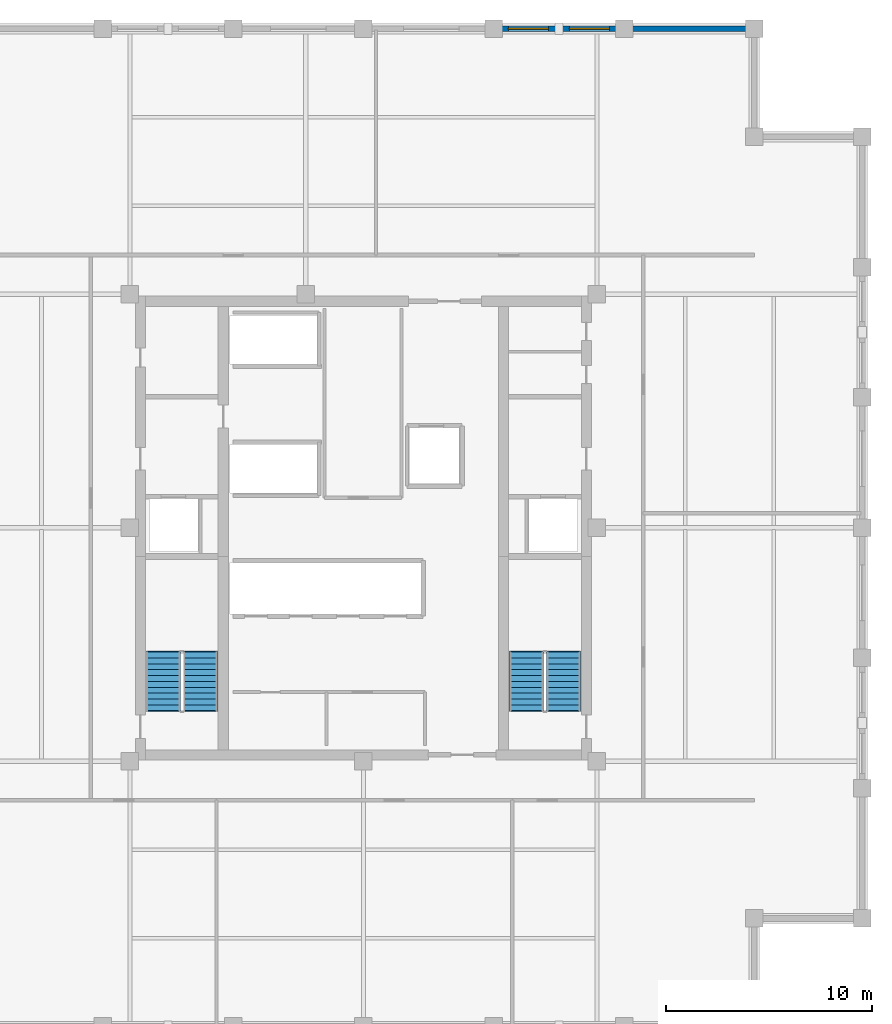
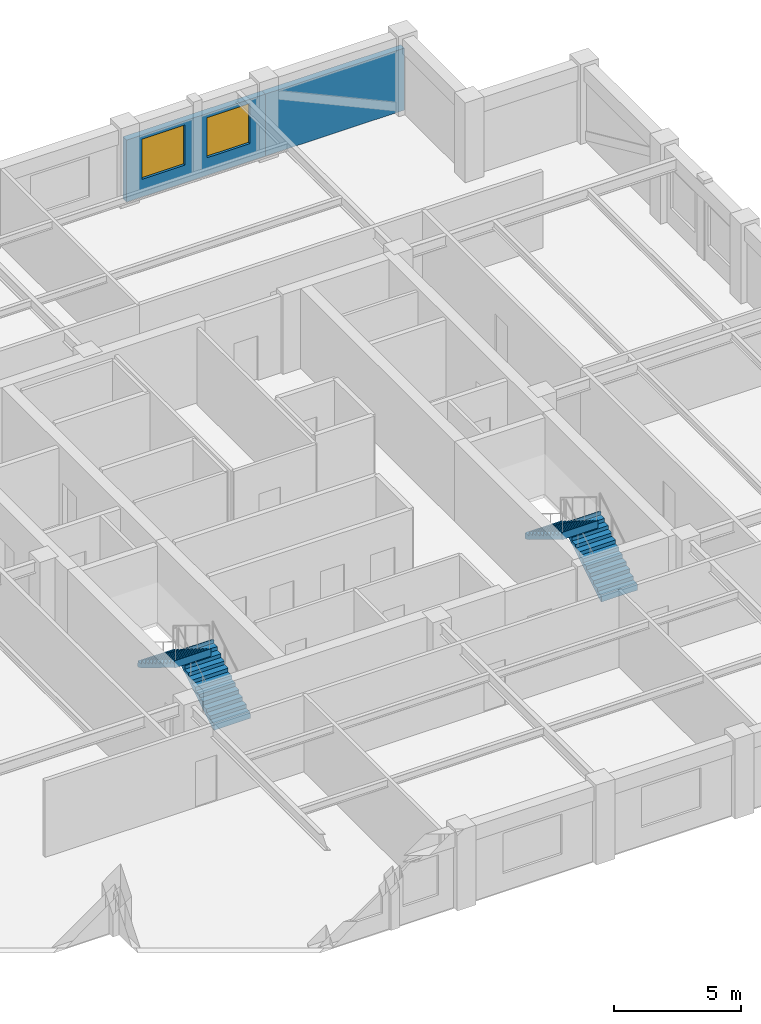
# One storey, part 5 of 6: 4 stair flights, 2 walls, 2 windows, 2 openings, 2 elements without a shape of their own.
"""IFC4 building model written with IfcOpenShell, lengths in metres."""

from ifc_helpers import new_model, si_unit, direction, frame, frame_2d, origin, place, context, subcontext, project, spatial, polyline, rectangle, outline, extrude, material, layer, layer_set, type_object, element, fill, aggregate, save


model = new_model("IFC4")

# Units and contexts
model_context = context("Model", 3, precision=1e-05, world=origin(), true_north=direction((0.0, 1.0)))
body_context = subcontext(model_context, "Body", "Model", "MODEL_VIEW")
ifc_project = project(units=[si_unit("LENGTHUNIT", "METRE"), si_unit("AREAUNIT", "SQUARE_METRE"), si_unit("VOLUMEUNIT", "CUBIC_METRE"), si_unit("PLANEANGLEUNIT", "RADIAN"), si_unit("MASSUNIT", "GRAM", prefix="KILO")], contexts=[model_context])

# Site, building, storey
site_placement = place(None, origin())
site = spatial("IfcSite", under=ifc_project, at=site_placement, CompositionType="ELEMENT")
building_placement = place(site_placement, origin())
building = spatial("IfcBuilding", under=site, at=building_placement, Name="Nhamokura Convention Tower", CompositionType="ELEMENT")
storey_placement = place(building_placement, frame((0.0, 0.0, 233.10009765625)))
storey = spatial("IfcBuildingStorey", under=building, at=storey_placement, Name="L57", CompositionType="ELEMENT", Elevation=233.10009765625)

# Wall, openings, windows
ifc_material_1 = material(Name="Bronze-pigmented precast concrete C45/55", Category="concrete")
ifc_layer = layer(ifc_material_1, 0.280029296875)
ifc_layer_set = layer_set([ifc_layer], Name="BronzePrecastSpandrel_280")
wall_type = type_object("IfcWallType", Name="BronzePrecastSpandrel_280", PredefinedType="USERDEFINED", material=ifc_layer_set)
wall_1_placement = place(storey_placement, frame((38.333251953125, 56.25, 0.0), z_axis=(0.0, 0.0, 1.0), x_axis=(1.0, 0.0, 0.0)))
wall_1 = element("IfcWall", 1, at=wall_1_placement, inside=storey, type_object=wall_type, Name="L57 Masonry-Frame Wall NORTH 4", ObjectType="SPANDREL_WALL", PredefinedType="USERDEFINED", context=body_context, shape_type="SweptSolid", body=[
    extrude(rectangle(XDim=6.33349609375, YDim=0.280029296875, at=frame_2d((3.166748046875, 0.0))), origin(), (0.0, 0.0, 1.0), 2.98486328125),
])
opening_1_placement = place(wall_1_placement, frame((0.708251953125, 0.0, 0.85009765625)))
opening_1 = element("IfcOpeningElement", 2, at=opening_1_placement, cuts=wall_1, Name="Opening W-08", PredefinedType="OPENING", context=body_context, shape_type="SweptSolid", body=[
    extrude(rectangle(XDim=1.949951171875, YDim=1.93505859375, at=frame_2d((0.97509765625, 0.967529296875))), frame((0.0, 0.14990234375, 0.0), z_axis=(0.0, -1.0, 0.0), x_axis=(1.0, 0.0, 0.0)), (0.0, 0.0, 1.0), 0.300048828125),
])
opening_2_placement = place(wall_1_placement, frame((3.675048828125, 0.0, 0.85009765625)))
opening_2 = element("IfcOpeningElement", 3, at=opening_2_placement, cuts=wall_1, Name="Opening W-08", PredefinedType="OPENING", context=body_context, shape_type="SweptSolid", body=[
    extrude(rectangle(XDim=1.949951171875, YDim=1.93505859375, at=frame_2d((0.97509765625, 0.967529296875))), frame((0.0, 0.14990234375, 0.0), z_axis=(0.0, -1.0, 0.0), x_axis=(1.0, 0.0, 0.0)), (0.0, 0.0, 1.0), 0.300048828125),
])
ifc_material_2 = material(Name="Solar-control bronze low-E double glass", Category="glass")
window_type = type_object("IfcWindowType", Name="OfficeModuleWindow_Z3_1950", PartitioningType="SINGLE_PANEL", PredefinedType="WINDOW", material=ifc_material_2)
window_1_placement = place(opening_1_placement, origin())
window_1 = element("IfcWindow", 4, at=window_1_placement, inside=storey, type_object=window_type, Name="L57 Facade Window NORTH 4-1", OverallHeight=1.93505859375, OverallWidth=1.949951171875, PartitioningType="SINGLE_PANEL", PredefinedType="WINDOW", context=body_context, shape_type="SweptSolid", body=[
    extrude(rectangle(XDim=1.949951171875, YDim=1.93505859375, at=frame_2d((0.97509765625, 0.967529296875))), frame((0.0, 0.030029296875, 0.0), z_axis=(0.0, -1.0, 0.0), x_axis=(1.0, 0.0, 0.0)), (0.0, 0.0, 1.0), 0.06005859375),
])
fill(opening_1, window_1)
window_2_placement = place(opening_2_placement, origin())
window_2 = element("IfcWindow", 5, at=window_2_placement, inside=storey, type_object=window_type, Name="L57 Facade Window NORTH 4-2", OverallHeight=1.93505859375, OverallWidth=1.949951171875, PartitioningType="SINGLE_PANEL", PredefinedType="WINDOW", context=body_context, shape_type="SweptSolid", body=[
    extrude(rectangle(XDim=1.949951171875, YDim=1.93505859375, at=frame_2d((0.97509765625, 0.967529296875))), frame((0.0, 0.030029296875, 0.0), z_axis=(0.0, -1.0, 0.0), x_axis=(1.0, 0.0, 0.0)), (0.0, 0.0, 1.0), 0.06005859375),
])
fill(opening_2, window_2)

# Wall
wall_2_placement = place(storey_placement, frame((44.666748046875, 56.25, 0.0), z_axis=(0.0, 0.0, 1.0), x_axis=(1.0, 0.0, 0.0)))
element("IfcWall", 6, at=wall_2_placement, inside=storey, type_object=wall_type, Name="L57 Braced-Bay Precast Wall NORTH 5", ObjectType="SPANDREL_WALL", PredefinedType="USERDEFINED", context=body_context, shape_type="SweptSolid", body=[
    extrude(rectangle(XDim=6.333251953125, YDim=0.280029296875, at=frame_2d((3.16650390625, 0.0))), origin(), (0.0, 0.0, 1.0), 2.98486328125),
])

# Stair, stair flights
ifc_material_3 = material(Name="Concrete C40/50", Category="concrete")
stair_type = type_object("IfcStairType", Name="TowerCoreStair_1650", PredefinedType="HALF_TURN_STAIR", material=ifc_material_3)
stair_1_placement = place(storey_placement, origin())
stair_1 = element("IfcStair", 7, at=stair_1_placement, inside=storey, type_object=stair_type, Name="L57 West Core Smokeproof Stair ST-01", PredefinedType="HALF_TURN_STAIR")
ifc_material_4 = material(Name="Concrete C40/50", Category="concrete")
stair_flight_type = type_object("IfcStairFlightType", Name="TowerCoreStair_1650_Flight", PredefinedType="STRAIGHT", material=ifc_material_4)
stair_flight_1_placement = place(storey_placement, frame((24.074951171875, 23.10009765625, 0.0), z_axis=(0.0, 0.0, 1.0), x_axis=(0.0, 1.0, 0.0)))
stair_flight_1 = element("IfcStairFlight", 8, at=stair_flight_1_placement, type_object=stair_flight_type, Name="ST-01 flight 1", NumberOfRisers=11, NumberOfTreads=10, PredefinedType="STRAIGHT", RiserHeight=0.175, TreadLength=0.285, context=body_context, shape_type="SweptSolid", body=[
    extrude(outline(polyline([(-0.0419921875, 0.0), (0.0, 0.175048828125), (0.284912109375, 0.175048828125), (0.284912109375, 0.35009765625), (0.570068359375, 0.35009765625), (0.570068359375, 0.52490234375), (0.85498046875, 0.52490234375), (0.85498046875, 0.699951171875), (1.139892578125, 0.699951171875), (1.139892578125, 0.875), (1.425048828125, 0.875), (1.425048828125, 1.050048828125), (1.7099609375, 1.050048828125), (1.7099609375, 1.22509765625), (1.9951171875, 1.22509765625), (1.9951171875, 1.39990234375), (2.280029296875, 1.39990234375), (2.280029296875, 1.574951171875), (2.56494140625, 1.574951171875), (2.56494140625, 1.75), (2.85009765625, 1.75), (2.85009765625, 1.925048828125), (2.89208984375, 1.925048828125), (2.89208984375, 1.573974609375), (2.85009765625, 1.573974609375), (0.286376953125, 0.0), (0.02001953125, -0.1298828125), (-0.0419921875, -0.1298828125), (-0.0419921875, 0.0)])), frame((0.0, 0.824951171875, 0.0), z_axis=(0.0, -1.0, 0.0), x_axis=(1.0, 0.0, 0.0)), (0.0, 0.0, 1.0), 1.64990234375),
])
stair_flight_2_placement = place(storey_placement, frame((22.27490234375, 25.949951171875, 1.9248046875), z_axis=(0.0, 0.0, 1.0), x_axis=(0.0, -1.0, 0.0)))
stair_flight_2 = element("IfcStairFlight", 9, at=stair_flight_2_placement, type_object=stair_flight_type, Name="ST-01 flight 2", NumberOfRisers=11, NumberOfTreads=10, PredefinedType="STRAIGHT", RiserHeight=0.175, TreadLength=0.285, context=body_context, shape_type="SweptSolid", body=[
    extrude(outline(polyline([(-0.0419921875, 0.0), (0.0, 0.175048828125), (0.284912109375, 0.175048828125), (0.284912109375, 0.35009765625), (0.570068359375, 0.35009765625), (0.570068359375, 0.52490234375), (0.85498046875, 0.52490234375), (0.85498046875, 0.699951171875), (1.139892578125, 0.699951171875), (1.139892578125, 0.875), (1.425048828125, 0.875), (1.425048828125, 1.050048828125), (1.7099609375, 1.050048828125), (1.7099609375, 1.22509765625), (1.9951171875, 1.22509765625), (1.9951171875, 1.39990234375), (2.280029296875, 1.39990234375), (2.280029296875, 1.574951171875), (2.56494140625, 1.574951171875), (2.56494140625, 1.75), (2.85009765625, 1.75), (2.85009765625, 1.925048828125), (2.89208984375, 1.925048828125), (2.89208984375, 1.573974609375), (2.85009765625, 1.573974609375), (0.286376953125, 0.0), (0.02001953125, -0.1298828125), (-0.0419921875, -0.1298828125), (-0.0419921875, 0.0)])), frame((0.0, 0.824951171875, 0.0), z_axis=(0.0, -1.0, 0.0), x_axis=(1.0, 0.0, 0.0)), (0.0, 0.0, 1.0), 1.64990234375),
])
aggregate(stair_1, [stair_flight_1, stair_flight_2])

stair_2_placement = place(storey_placement, origin())
stair_2 = element("IfcStair", 10, at=stair_2_placement, inside=storey, type_object=stair_type, Name="L57 East Core Smokeproof Stair ST-02", PredefinedType="HALF_TURN_STAIR")
stair_flight_3_placement = place(storey_placement, frame((41.72509765625, 23.10009765625, 0.0), z_axis=(0.0, 0.0, 1.0), x_axis=(0.0, 1.0, 0.0)))
stair_flight_3 = element("IfcStairFlight", 11, at=stair_flight_3_placement, type_object=stair_flight_type, Name="ST-02 flight 1", NumberOfRisers=11, NumberOfTreads=10, PredefinedType="STRAIGHT", RiserHeight=0.175, TreadLength=0.285, context=body_context, shape_type="SweptSolid", body=[
    extrude(outline(polyline([(-0.0419921875, 0.0), (0.0, 0.175048828125), (0.284912109375, 0.175048828125), (0.284912109375, 0.35009765625), (0.570068359375, 0.35009765625), (0.570068359375, 0.52490234375), (0.85498046875, 0.52490234375), (0.85498046875, 0.699951171875), (1.139892578125, 0.699951171875), (1.139892578125, 0.875), (1.425048828125, 0.875), (1.425048828125, 1.050048828125), (1.7099609375, 1.050048828125), (1.7099609375, 1.22509765625), (1.9951171875, 1.22509765625), (1.9951171875, 1.39990234375), (2.280029296875, 1.39990234375), (2.280029296875, 1.574951171875), (2.56494140625, 1.574951171875), (2.56494140625, 1.75), (2.85009765625, 1.75), (2.85009765625, 1.925048828125), (2.89208984375, 1.925048828125), (2.89208984375, 1.573974609375), (2.85009765625, 1.573974609375), (0.286376953125, 0.0), (0.02001953125, -0.1298828125), (-0.0419921875, -0.1298828125), (-0.0419921875, 0.0)])), frame((0.0, 0.824951171875, 0.0), z_axis=(0.0, -1.0, 0.0), x_axis=(1.0, 0.0, 0.0)), (0.0, 0.0, 1.0), 1.64990234375),
])
stair_flight_4_placement = place(storey_placement, frame((39.925048828125, 25.949951171875, 1.9248046875), z_axis=(0.0, 0.0, 1.0), x_axis=(0.0, -1.0, 0.0)))
stair_flight_4 = element("IfcStairFlight", 12, at=stair_flight_4_placement, type_object=stair_flight_type, Name="ST-02 flight 2", NumberOfRisers=11, NumberOfTreads=10, PredefinedType="STRAIGHT", RiserHeight=0.175, TreadLength=0.285, context=body_context, shape_type="SweptSolid", body=[
    extrude(outline(polyline([(-0.0419921875, 0.0), (0.0, 0.175048828125), (0.284912109375, 0.175048828125), (0.284912109375, 0.35009765625), (0.570068359375, 0.35009765625), (0.570068359375, 0.52490234375), (0.85498046875, 0.52490234375), (0.85498046875, 0.699951171875), (1.139892578125, 0.699951171875), (1.139892578125, 0.875), (1.425048828125, 0.875), (1.425048828125, 1.050048828125), (1.7099609375, 1.050048828125), (1.7099609375, 1.22509765625), (1.9951171875, 1.22509765625), (1.9951171875, 1.39990234375), (2.280029296875, 1.39990234375), (2.280029296875, 1.574951171875), (2.56494140625, 1.574951171875), (2.56494140625, 1.75), (2.85009765625, 1.75), (2.85009765625, 1.925048828125), (2.89208984375, 1.925048828125), (2.89208984375, 1.573974609375), (2.85009765625, 1.573974609375), (0.286376953125, 0.0), (0.02001953125, -0.1298828125), (-0.0419921875, -0.1298828125), (-0.0419921875, 0.0)])), frame((0.0, 0.824951171875, 0.0), z_axis=(0.0, -1.0, 0.0), x_axis=(1.0, 0.0, 0.0)), (0.0, 0.0, 1.0), 1.64990234375),
])
aggregate(stair_2, [stair_flight_3, stair_flight_4])

save(model, "model.ifc")
